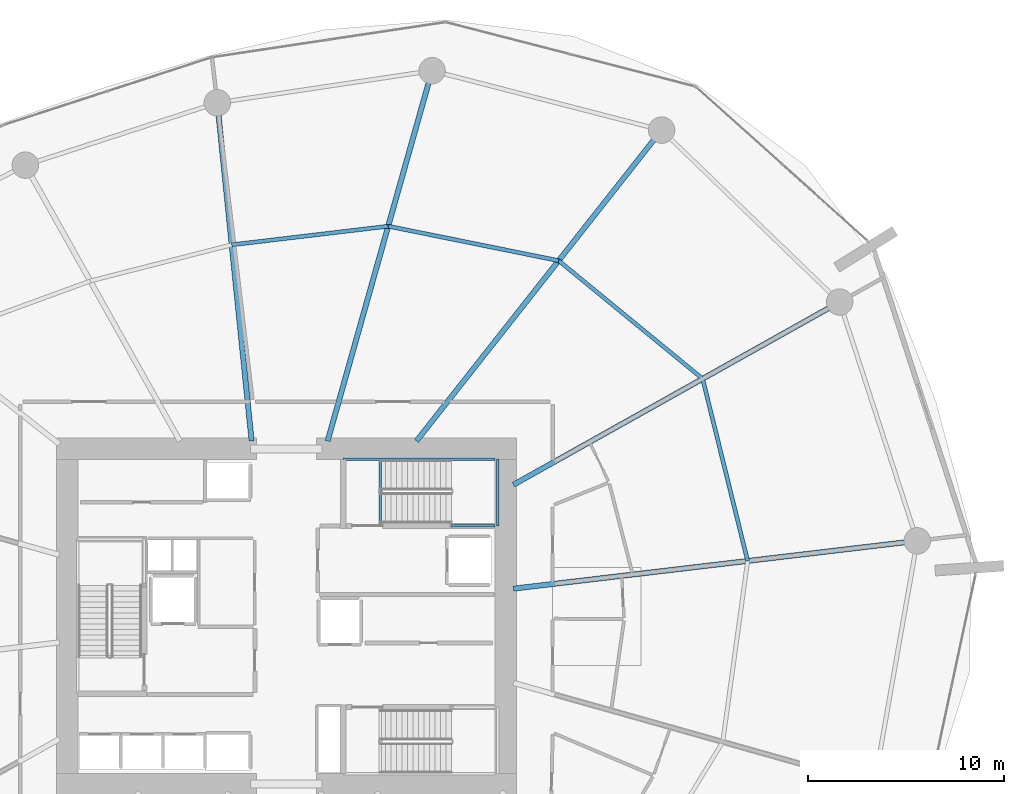
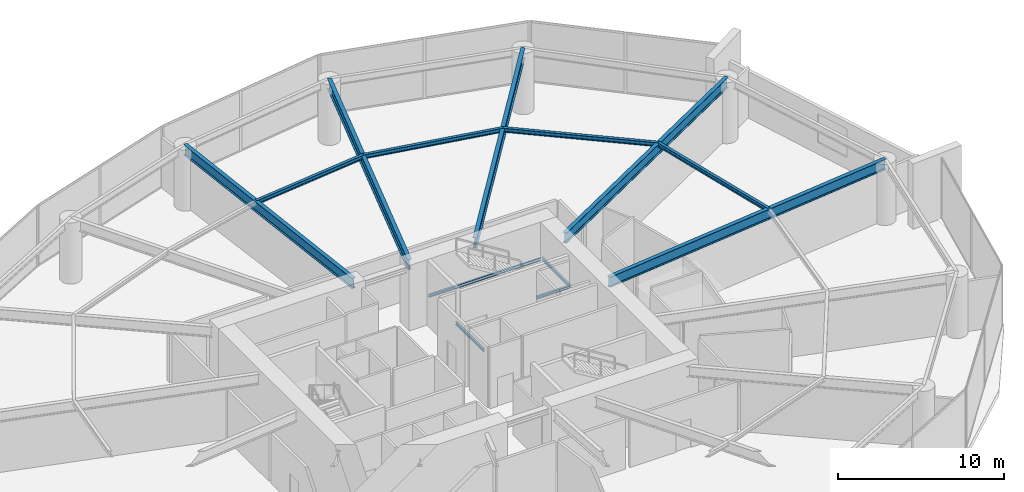
# One storey, part 14 of 22: 13 beams.
"""IFC4 building model written with IfcOpenShell, lengths in metres."""

from ifc_helpers import new_model, si_unit, direction, frame, origin, origin_2d, place, context, subcontext, project, spatial, i_section, extrude, material, material_profile, profile_set, type_object, element, save


model = new_model("IFC4")

# Units and contexts
model_context = context("Model", 3, precision=1e-05, world=origin(), true_north=direction((0.0, 1.0)))
body_context = subcontext(model_context, "Body", "Model", "MODEL_VIEW")
ifc_project = project(units=[si_unit("LENGTHUNIT", "METRE"), si_unit("AREAUNIT", "SQUARE_METRE"), si_unit("VOLUMEUNIT", "CUBIC_METRE"), si_unit("PLANEANGLEUNIT", "RADIAN"), si_unit("MASSUNIT", "GRAM", prefix="KILO")], contexts=[model_context])

# Site, building, storey
site_placement = place(None, origin())
site = spatial("IfcSite", under=ifc_project, at=site_placement, CompositionType="ELEMENT")
building_placement = place(site_placement, origin())
building = spatial("IfcBuilding", under=site, at=building_placement, Name="Kazma Halo Residences", CompositionType="ELEMENT")
storey_placement = place(building_placement, frame((0.0, 0.0, 7.199951171875)))
storey = spatial("IfcBuildingStorey", under=building, at=storey_placement, Name="L01", CompositionType="ELEMENT", Elevation=7.199951171875)

# Beams
ifc_material = material(Name="Steel S355", Category="steel")
ifc_material_profile_1 = material_profile(ifc_material, i_section(OverallWidth=0.26708984375, OverallDepth=0.761962890625, WebThickness=0.014404296875, FlangeThickness=0.021484375, FilletRadius=0.02001953125, at=origin_2d()), Name="W760x173")
ifc_profile_set_1 = profile_set([ifc_material_profile_1], Name="Steel S355")
beam_type_1 = type_object("IfcBeamType", Name="BM-POD-W760", PredefinedType="BEAM", material=ifc_profile_set_1)
beam_1_placement = place(storey_placement, frame((60.0, 48.72021484375, 4.09912109375), z_axis=(0.872493349369, 0.488625987139, 0.0), x_axis=(-0.488625987139, 0.872493349369, 0.0)))
element("IfcBeam", 1, at=beam_1_placement, inside=storey, type_object=beam_type_1, Name="L01 radial floor beam 01", PredefinedType="BEAM", context=body_context, shape_type="SweptSolid", body=[
    extrude(i_section(OverallWidth=0.26708984375, OverallDepth=0.761962890625, WebThickness=0.014404296875, FlangeThickness=0.021484375, FilletRadius=0.02001953125, at=origin_2d()), origin(), (0.0, 0.0, 1.0), 19.0634765625),
])
beam_2_placement = place(storey_placement, frame((55.0556640625, 50.949951171875, 4.09912109375), z_axis=(0.619089277374, 0.785320613915, 0.0), x_axis=(-0.785320613915, 0.619089277374, 0.0)))
element("IfcBeam", 2, at=beam_2_placement, inside=storey, type_object=beam_type_1, Name="L01 radial floor beam 02", PredefinedType="BEAM", context=body_context, shape_type="SweptSolid", body=[
    extrude(i_section(OverallWidth=0.26708984375, OverallDepth=0.761962890625, WebThickness=0.014404296875, FlangeThickness=0.021484375, FilletRadius=0.02001953125, at=origin_2d()), origin(), (0.0, 0.0, 1.0), 20.18701171875),
])
beam_3_placement = place(storey_placement, frame((50.524169921875, 50.949951171875, 4.09912109375), z_axis=(0.271433858007, 0.962457095526, 0.0), x_axis=(-0.962457095526, 0.271433858007, 0.0)))
element("IfcBeam", 3, at=beam_3_placement, inside=storey, type_object=beam_type_1, Name="L01 radial floor beam 03", PredefinedType="BEAM", context=body_context, shape_type="SweptSolid", body=[
    extrude(i_section(OverallWidth=0.26708984375, OverallDepth=0.761962890625, WebThickness=0.014404296875, FlangeThickness=0.021484375, FilletRadius=0.02001953125, at=origin_2d()), origin(), (0.0, 0.0, 1.0), 19.617919921875),
])
beam_4_placement = place(storey_placement, frame((46.64990234375, 50.949951171875, 4.09912109375), z_axis=(-0.100981723867, 0.994888280886, 0.0), x_axis=(-0.994888280886, -0.100981723867, 0.0)))
element("IfcBeam", 4, at=beam_4_placement, inside=storey, type_object=beam_type_1, Name="L01 radial floor beam 04", PredefinedType="BEAM", context=body_context, shape_type="SweptSolid", body=[
    extrude(i_section(OverallWidth=0.26708984375, OverallDepth=0.761962890625, WebThickness=0.014404296875, FlangeThickness=0.021484375, FilletRadius=0.02001953125, at=origin_2d()), origin(), (0.0, 0.0, 1.0), 17.334716796875),
])
beam_5_placement = place(storey_placement, frame((60.0, 43.42041015625, 4.09912109375), z_axis=(0.993069425949, 0.117529210178, 0.0), x_axis=(-0.117529210178, 0.993069425949, 0.0)))
element("IfcBeam", 5, at=beam_5_placement, inside=storey, type_object=beam_type_1, Name="L01 radial floor beam 16", PredefinedType="BEAM", context=body_context, shape_type="SweptSolid", body=[
    extrude(i_section(OverallWidth=0.26708984375, OverallDepth=0.761962890625, WebThickness=0.014404296875, FlangeThickness=0.021484375, FilletRadius=0.02001953125, at=origin_2d()), origin(), (0.0, 0.0, 1.0), 20.7333984375),
])
ifc_material_profile_2 = material_profile(ifc_material, i_section(OverallWidth=0.202880859375, OverallDepth=0.302978515625, WebThickness=0.007568359375, FlangeThickness=0.01318359375, FilletRadius=0.013916015625, at=origin_2d()), Name="W310x60")
ifc_profile_set_2 = profile_set([ifc_material_profile_2], Name="Steel S355")
beam_type_2 = type_object("IfcBeamType", Name="BM-SEC-W310A", PredefinedType="JOIST", material=ifc_profile_set_2)
beam_6_placement = place(storey_placement, frame((69.64697265625, 54.122802734375, 4.32861328125), z_axis=(-0.773208794724, 0.634151527446, 0.0), x_axis=(-0.634151527446, -0.773208794724, 0.0)))
element("IfcBeam", 6, at=beam_6_placement, inside=storey, type_object=beam_type_2, Name="L01 circumferential floor joist 01", PredefinedType="JOIST", context=body_context, shape_type="SweptSolid", body=[
    extrude(i_section(OverallWidth=0.202880859375, OverallDepth=0.302978515625, WebThickness=0.007568359375, FlangeThickness=0.01318359375, FilletRadius=0.013916015625, at=origin_2d()), origin(), (0.0, 0.0, 1.0), 9.49658203125),
])
beam_7_placement = place(storey_placement, frame((62.30419921875, 60.14501953125, 4.32861328125), z_axis=(-0.980192243317, 0.198048393432, 0.0), x_axis=(-0.198048393432, -0.980192243317, 0.0)))
element("IfcBeam", 7, at=beam_7_placement, inside=storey, type_object=beam_type_2, Name="L01 circumferential floor joist 02", PredefinedType="JOIST", context=body_context, shape_type="SweptSolid", body=[
    extrude(i_section(OverallWidth=0.202880859375, OverallDepth=0.302978515625, WebThickness=0.007568359375, FlangeThickness=0.01318359375, FilletRadius=0.013916015625, at=origin_2d()), origin(), (0.0, 0.0, 1.0), 8.866943359375),
])
beam_8_placement = place(storey_placement, frame((53.61279296875, 61.901123046875, 4.32861328125), z_axis=(-0.993006946192, -0.118055939346, 0.0), x_axis=(0.118055939346, -0.993006946192, 0.0)))
element("IfcBeam", 8, at=beam_8_placement, inside=storey, type_object=beam_type_2, Name="L01 circumferential floor joist 03", PredefinedType="JOIST", context=body_context, shape_type="SweptSolid", body=[
    extrude(i_section(OverallWidth=0.202880859375, OverallDepth=0.302978515625, WebThickness=0.007568359375, FlangeThickness=0.01318359375, FilletRadius=0.013916015625, at=origin_2d()), origin(), (0.0, 0.0, 1.0), 8.0341796875),
])
beam_9_placement = place(storey_placement, frame((71.94189453125, 44.833740234375, 4.32861328125), z_axis=(-0.239845066169, 0.970811178466, 0.0), x_axis=(-0.970811178466, -0.239845066169, 0.0)))
element("IfcBeam", 9, at=beam_9_placement, inside=storey, type_object=beam_type_2, Name="L01 circumferential floor joist 16", PredefinedType="JOIST", context=body_context, shape_type="SweptSolid", body=[
    extrude(i_section(OverallWidth=0.202880859375, OverallDepth=0.302978515625, WebThickness=0.007568359375, FlangeThickness=0.01318359375, FilletRadius=0.013916015625, at=origin_2d()), origin(), (0.0, 0.0, 1.0), 9.568359375),
])
ifc_material_profile_3 = material_profile(ifc_material, i_section(OverallWidth=0.133056640625, OverallDepth=0.20703125, WebThickness=0.005859375, FlangeThickness=0.00830078125, FilletRadius=0.010009765625, at=origin_2d()), Name="W200x26.6")
ifc_profile_set_3 = profile_set([ifc_material_profile_3], Name="Steel S355")
beam_type_3 = type_object("IfcBeamType", Name="BM-TRIM-W200", PredefinedType="BEAM", material=ifc_profile_set_3)
beam_10_placement = place(storey_placement, frame((53.199951171875, 46.6201171875, -0.510009765625), z_axis=(0.0, 1.0, 0.0), x_axis=(-1.0, 0.0, 0.0)))
element("IfcBeam", 10, at=beam_10_placement, inside=storey, type_object=beam_type_3, Name="L01 ST-02 floor landing support beam", PredefinedType="BEAM", context=body_context, shape_type="SweptSolid", body=[
    extrude(i_section(OverallWidth=0.133056640625, OverallDepth=0.20703125, WebThickness=0.005859375, FlangeThickness=0.00830078125, FilletRadius=0.010009765625, at=origin_2d()), origin(), (0.0, 0.0, 1.0), 3.3798828125),
])
beam_11_placement = place(storey_placement, frame((51.31005859375, 50.02001953125, 2.094970703125), z_axis=(1.0, 0.0, 0.0), x_axis=(0.0, 1.0, 0.0)))
element("IfcBeam", 11, at=beam_11_placement, inside=storey, type_object=beam_type_3, Name="L01 ST-02 landing north wall ledger", PredefinedType="BEAM", context=body_context, shape_type="SweptSolid", body=[
    extrude(i_section(OverallWidth=0.133056640625, OverallDepth=0.20703125, WebThickness=0.005859375, FlangeThickness=0.00830078125, FilletRadius=0.010009765625, at=origin_2d()), origin(), (0.0, 0.0, 1.0), 7.760009765625),
])
beam_12_placement = place(storey_placement, frame((56.840087890625, 46.6201171875, 2.094970703125), z_axis=(1.0, 0.0, 0.0), x_axis=(0.0, 1.0, 0.0)))
element("IfcBeam", 12, at=beam_12_placement, inside=storey, type_object=beam_type_3, Name="L01 ST-02 landing south wall ledger", PredefinedType="BEAM", context=body_context, shape_type="SweptSolid", body=[
    extrude(i_section(OverallWidth=0.133056640625, OverallDepth=0.20703125, WebThickness=0.005859375, FlangeThickness=0.00830078125, FilletRadius=0.010009765625, at=origin_2d()), origin(), (0.0, 0.0, 1.0), 2.22998046875),
])
beam_13_placement = place(storey_placement, frame((59.18994140625, 46.6201171875, 2.094970703125), z_axis=(0.0, 1.0, 0.0), x_axis=(-1.0, 0.0, 0.0)))
element("IfcBeam", 13, at=beam_13_placement, inside=storey, type_object=beam_type_3, Name="L01 ST-02 landing end wall ledger", PredefinedType="BEAM", context=body_context, shape_type="SweptSolid", body=[
    extrude(i_section(OverallWidth=0.133056640625, OverallDepth=0.20703125, WebThickness=0.005859375, FlangeThickness=0.00830078125, FilletRadius=0.010009765625, at=origin_2d()), origin(), (0.0, 0.0, 1.0), 3.39990234375),
])

save(model, "model.ifc")
